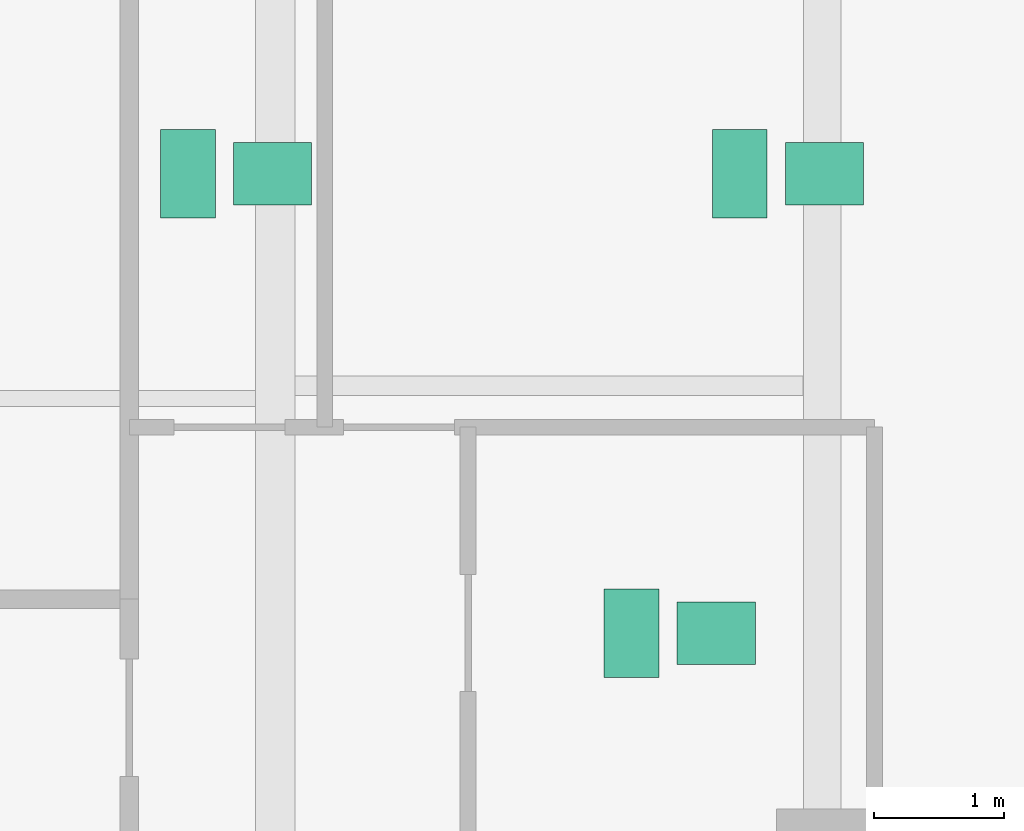
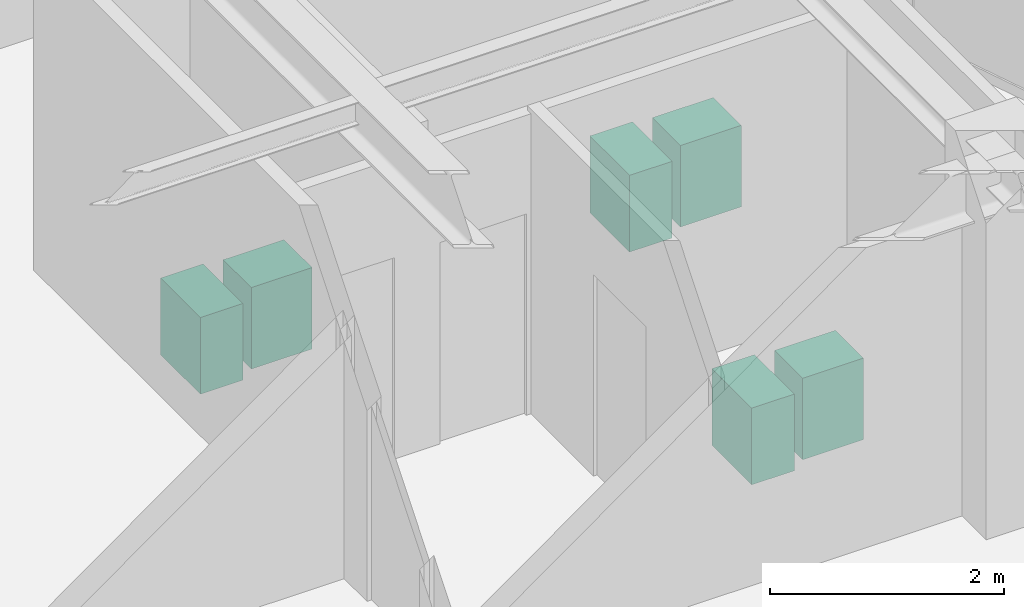
# One storey, part 21 of 21: 6 sanitary terminals.
"""IFC4 building model written with IfcOpenShell, lengths in metres."""

from ifc_helpers import new_model, si_unit, direction, frame, origin, origin_2d, place, context, subcontext, project, spatial, rectangle, extrude, source, transform, mapped, material, type_object, type_shapes, element, save


model = new_model("IFC4")

# Units and contexts
model_context = context("Model", 3, precision=1e-05, world=origin(), true_north=direction((0.0, 1.0)))
body_context = subcontext(model_context, "Body", "Model", "MODEL_VIEW")
ifc_project = project(units=[si_unit("LENGTHUNIT", "METRE"), si_unit("AREAUNIT", "SQUARE_METRE"), si_unit("VOLUMEUNIT", "CUBIC_METRE"), si_unit("PLANEANGLEUNIT", "RADIAN"), si_unit("MASSUNIT", "GRAM", prefix="KILO")], contexts=[model_context])

# Site, building, storey
site_placement = place(None, origin())
site = spatial("IfcSite", under=ifc_project, at=site_placement, CompositionType="ELEMENT")
building_placement = place(site_placement, origin())
building = spatial("IfcBuilding", under=site, at=building_placement, Name="Krantzveldt Concourse Tower", CompositionType="ELEMENT")
storey_placement = place(building_placement, frame((0.0, 0.0, 331.64990234375)))
storey = spatial("IfcBuildingStorey", under=building, at=storey_placement, Name="L81", CompositionType="ELEMENT", Elevation=331.64990234375)

# Sanitary terminals
ifc_material = material(Name="Vitreous china", Category="ceramic")
sanitary_terminal_type_1 = type_object("IfcSanitaryTerminalType", Name="SAN-WC-SUITE", PredefinedType="TOILETPAN", material=ifc_material)
shared_shape_1 = source(origin(), body_context, "Body", "SweptSolid", [
    extrude(rectangle(XDim=0.419921875, YDim=0.679931640625, at=origin_2d()), origin(), (0.0, 0.0, 1.0), 0.800048828125),
])
type_shapes(sanitary_terminal_type_1, [shared_shape_1])
for number, where, z_axis, x_axis, name in (
    (1, (50.365234375, 31.925048828125, 0.0), (0.0, 0.0, 1.0), (1.0, 0.0, 0.0), "WC-SP-L81-WCM"),
    (2, (46.1298828125, 31.925048828125, 0.0), (0.0, 0.0, 1.0), (1.0, 0.0, 0.0), "WC-SP-L81-WCF"),
    (3, (49.534912109375, 28.39990234375, 0.0), (0.0, 0.0, 1.0), (1.0, 0.0, 0.0), "WC-SP-L81-WCA"),
):
    element("IfcSanitaryTerminal", number, at=place(storey_placement, frame(where, z_axis=z_axis, x_axis=x_axis)), inside=storey, type_object=sanitary_terminal_type_1, Name=name, PredefinedType="TOILETPAN", context=body_context, shape_type="MappedRepresentation", body=[
        mapped(shared_shape_1, transform((0.0, 0.0, 0.0), x_axis=(1.0, 0.0, 0.0), y_axis=(0.0, 1.0, 0.0), z_axis=(0.0, 0.0, 1.0), scale=1.0)),
    ])
sanitary_terminal_type_2 = type_object("IfcSanitaryTerminalType", Name="SAN-BASIN-600", PredefinedType="WASHHANDBASIN", material=ifc_material)
shared_shape_2 = source(origin(), body_context, "Body", "SweptSolid", [
    extrude(rectangle(XDim=0.60009765625, YDim=0.47998046875, at=origin_2d()), origin(), (0.0, 0.0, 1.0), 0.85009765625),
])
type_shapes(sanitary_terminal_type_2, [shared_shape_2])
for number, where, z_axis, x_axis, name in (
    (4, (51.015380859375, 31.925048828125, 0.005126953125), (0.0, 0.0, 1.0), (1.0, 0.0, 0.0), "BSN-SP-L81-WCM"),
    (5, (46.780029296875, 31.925048828125, 0.005126953125), (0.0, 0.0, 1.0), (1.0, 0.0, 0.0), "BSN-SP-L81-WCF"),
    (6, (50.18505859375, 28.39990234375, 0.005126953125), (0.0, 0.0, 1.0), (1.0, 0.0, 0.0), "BSN-SP-L81-WCA"),
):
    element("IfcSanitaryTerminal", number, at=place(storey_placement, frame(where, z_axis=z_axis, x_axis=x_axis)), inside=storey, type_object=sanitary_terminal_type_2, Name=name, PredefinedType="WASHHANDBASIN", context=body_context, shape_type="MappedRepresentation", body=[
        mapped(shared_shape_2, transform((0.0, 0.0, 0.0), x_axis=(1.0, 0.0, 0.0), y_axis=(0.0, 1.0, 0.0), z_axis=(0.0, 0.0, 1.0), scale=1.0)),
    ])

save(model, "model.ifc")
